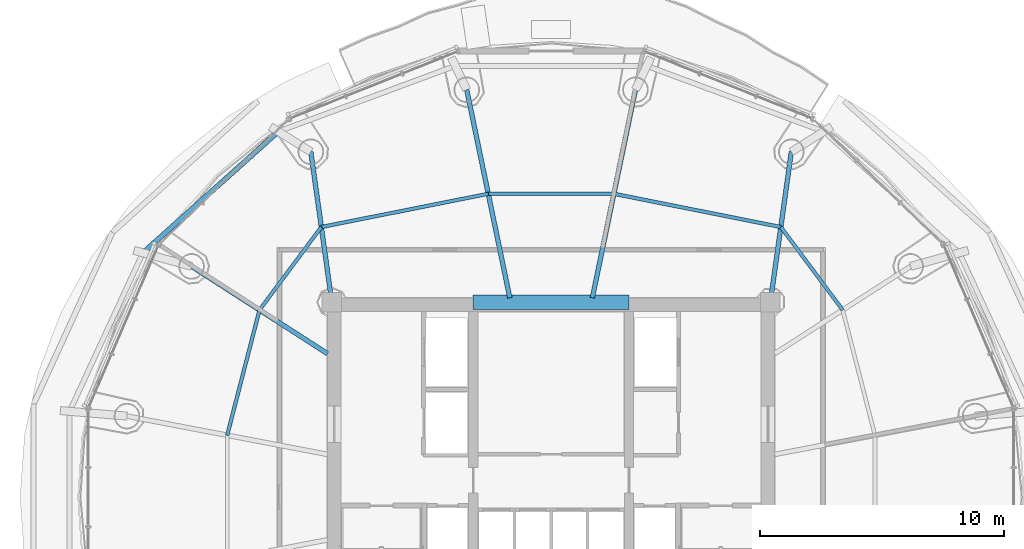
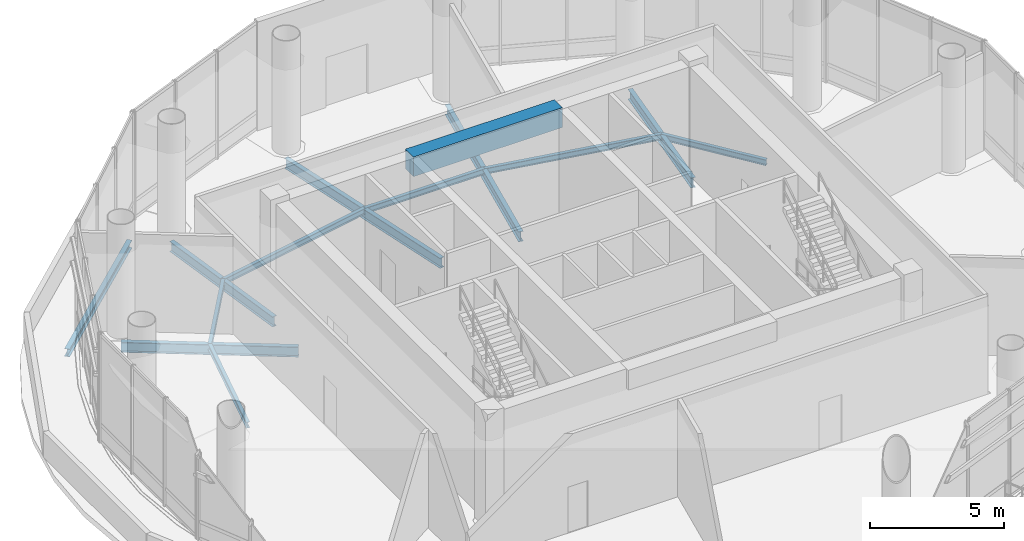
# One storey, part 7 of 22: 13 beams.
"""IFC4 building model written with IfcOpenShell, lengths in metres."""

from ifc_helpers import new_model, si_unit, direction, frame, origin, origin_2d, place, context, subcontext, project, spatial, rectangle, i_section, extrude, material, material_profile, profile_set, type_object, element, save


model = new_model("IFC4")

# Units and contexts
model_context = context("Model", 3, precision=1e-05, world=origin(), true_north=direction((-0.2419218956, 0.970295726276)))
body_context = subcontext(model_context, "Body", "Model", "MODEL_VIEW")
ifc_project = project(units=[si_unit("LENGTHUNIT", "METRE"), si_unit("AREAUNIT", "SQUARE_METRE"), si_unit("VOLUMEUNIT", "CUBIC_METRE"), si_unit("PLANEANGLEUNIT", "RADIAN"), si_unit("MASSUNIT", "GRAM", prefix="KILO")], contexts=[model_context])

# Site, building, storey
site_placement = place(None, origin())
site = spatial("IfcSite", under=ifc_project, at=site_placement, CompositionType="ELEMENT")
building_placement = place(site_placement, origin())
building = spatial("IfcBuilding", under=site, at=building_placement, Name="Cobrevalo Terracotta Tower", CompositionType="ELEMENT")
storey_placement = place(building_placement, frame((0.0, 0.0, 243.0)))
storey = spatial("IfcBuildingStorey", under=building, at=storey_placement, Name="L64", CompositionType="ELEMENT", Elevation=243.0)

# Beams
ifc_material_1 = material(Name="Concrete C60", Category="concrete")
ifc_material_profile_1 = material_profile(ifc_material_1, rectangle(XDim=0.60009765625, YDim=0.89990234375, at=origin_2d()), Name="RC CB 600x900")
ifc_profile_set_1 = profile_set([ifc_material_profile_1], Name="Concrete C60")
beam_type_1 = type_object("IfcBeamType", Name="Structural Beam RC CB 600x900 (Concrete C60)", PredefinedType="BEAM", material=ifc_profile_set_1)
beam_1_placement = place(storey_placement, frame((34.800048828125, 34.800048828125, 4.489990234375), z_axis=(1.0, 0.0, 0.0), x_axis=(0.0, 1.0, 0.0)))
element("IfcBeam", 1, at=beam_1_placement, inside=storey, type_object=beam_type_1, Name="L64 core coupling beam 2", PredefinedType="BEAM", context=body_context, shape_type="SweptSolid", body=[
    extrude(rectangle(XDim=0.60009765625, YDim=0.89990234375, at=origin_2d()), origin(), (0.0, 0.0, 1.0), 6.39990234375),
])
ifc_material_2 = material(Name="Steel S355", Category="steel")
ifc_material_profile_2 = material_profile(ifc_material_2, i_section(OverallWidth=0.19091796875, OverallDepth=0.4599609375, WebThickness=0.010009765625, FlangeThickness=0.01611328125, at=origin_2d()), Name="W 460x82")
ifc_profile_set_2 = profile_set([ifc_material_profile_2], Name="Steel S355")
beam_type_2 = type_object("IfcBeamType", Name="Structural Beam W 460x82 (Steel S355)", PredefinedType="BEAM", material=ifc_profile_set_2)
beam_2_placement = place(storey_placement, frame((47.861328125, 40.9765625, -0.679931640625), z_axis=(-0.138115657759, -0.990416107039, 0.0), x_axis=(0.990416107039, -0.138115657759, 0.0)))
element("IfcBeam", 2, at=beam_2_placement, inside=storey, type_object=beam_type_2, Name="L64 radial floor girder 03", PredefinedType="BEAM", context=body_context, shape_type="SweptSolid", body=[
    extrude(i_section(OverallWidth=0.19091796875, OverallDepth=0.4599609375, WebThickness=0.010009765625, FlangeThickness=0.01611328125, at=origin_2d()), origin(), (0.0, 0.0, 1.0), 6.236328125),
])
for number, where, z_axis, x_axis, name in (
    (3, (41.462890625, 43.5224609375, -0.679931640625), (-0.202785130995, -0.979223258837, 0.0), (0.979223258837, -0.202785130995, 0.0), "L64 radial floor girder 04"),
    (4, (34.537109375, 43.5224609375, -0.679931640625), (0.202785130995, -0.979223258837, 0.0), (0.979223258837, 0.202785130995, 0.0), "L64 radial floor girder 05"),
):
    element("IfcBeam", number, at=place(storey_placement, frame(where, z_axis=z_axis, x_axis=x_axis)), inside=storey, type_object=beam_type_2, Name=name, PredefinedType="BEAM", context=body_context, shape_type="SweptSolid", body=[
        extrude(i_section(OverallWidth=0.19091796875, OverallDepth=0.4599609375, WebThickness=0.010009765625, FlangeThickness=0.01611328125, at=origin_2d()), origin(), (0.0, 0.0, 1.0), 8.7236328125),
    ])
beam_3_placement = place(storey_placement, frame((28.138671875, 40.9765625, -0.679931640625), z_axis=(0.138115657759, -0.990416107039, 0.0), x_axis=(0.990416107039, 0.138115657759, 0.0)))
element("IfcBeam", 5, at=beam_3_placement, inside=storey, type_object=beam_type_2, Name="L64 radial floor girder 06", PredefinedType="BEAM", context=body_context, shape_type="SweptSolid", body=[
    extrude(i_section(OverallWidth=0.19091796875, OverallDepth=0.4599609375, WebThickness=0.010009765625, FlangeThickness=0.01611328125, at=origin_2d()), origin(), (0.0, 0.0, 1.0), 6.236328125),
])
beam_4_placement = place(storey_placement, frame((23.241455078125, 36.2724609375, -0.679931640625), z_axis=(0.841568363304, -0.540150617778, 0.0), x_axis=(0.540150617778, 0.841568363304, 0.0)))
element("IfcBeam", 6, at=beam_4_placement, inside=storey, type_object=beam_type_2, Name="L64 radial floor girder 07", PredefinedType="BEAM", context=body_context, shape_type="SweptSolid", body=[
    extrude(i_section(OverallWidth=0.19091796875, OverallDepth=0.4599609375, WebThickness=0.010009765625, FlangeThickness=0.01611328125, at=origin_2d()), origin(), (0.0, 0.0, 1.0), 6.62890625),
])
ifc_material_profile_3 = material_profile(ifc_material_2, i_section(OverallWidth=0.14794921875, OverallDepth=0.26611328125, WebThickness=0.007568359375, FlangeThickness=0.012939453125, at=origin_2d()), Name="W 250x44.8")
ifc_profile_set_3 = profile_set([ifc_material_profile_3], Name="Steel S355")
beam_type_3 = type_object("IfcBeamType", Name="Structural Joist W 250x44.8 (Steel S355)", PredefinedType="JOIST", material=ifc_profile_set_3)
beam_5_placement = place(storey_placement, frame((49.96923828125, 34.482177734375, -0.5830078125), z_axis=(-0.597597255521, 0.801796433139, 0.0), x_axis=(-0.801796433139, -0.597597255521, 0.0)))
element("IfcBeam", 7, at=beam_5_placement, inside=storey, type_object=beam_type_3, Name="L64 circumferential secondary floor joist 02", PredefinedType="JOIST", context=body_context, shape_type="SweptSolid", body=[
    extrude(i_section(OverallWidth=0.14794921875, OverallDepth=0.26611328125, WebThickness=0.007568359375, FlangeThickness=0.012939453125, at=origin_2d()), origin(), (0.0, 0.0, 1.0), 4.248046875),
])
beam_6_placement = place(storey_placement, frame((47.4306640625, 37.88818359375, -0.5830078125), z_axis=(-0.980784434008, 0.195094577086, 0.0), x_axis=(-0.195094577086, -0.980784434008, 0.0)))
element("IfcBeam", 8, at=beam_6_placement, inside=storey, type_object=beam_type_3, Name="L64 circumferential secondary floor joist 03", PredefinedType="JOIST", context=body_context, shape_type="SweptSolid", body=[
    extrude(i_section(OverallWidth=0.14794921875, OverallDepth=0.26611328125, WebThickness=0.007568359375, FlangeThickness=0.012939453125, at=origin_2d()), origin(), (0.0, 0.0, 1.0), 6.986572265625),
])
beam_7_placement = place(storey_placement, frame((40.578369140625, 39.251220703125, -0.5830078125), z_axis=(-1.0, 0.0, 0.0), x_axis=(0.0, -1.0, 0.0)))
element("IfcBeam", 9, at=beam_7_placement, inside=storey, type_object=beam_type_3, Name="L64 circumferential secondary floor joist 04", PredefinedType="JOIST", context=body_context, shape_type="SweptSolid", body=[
    extrude(i_section(OverallWidth=0.14794921875, OverallDepth=0.26611328125, WebThickness=0.007568359375, FlangeThickness=0.012939453125, at=origin_2d()), origin(), (0.0, 0.0, 1.0), 5.15673828125),
])
beam_8_placement = place(storey_placement, frame((35.421630859375, 39.251220703125, -0.5830078125), z_axis=(-0.980784434008, -0.195094577086, 0.0), x_axis=(0.195094577086, -0.980784434008, 0.0)))
element("IfcBeam", 10, at=beam_8_placement, inside=storey, type_object=beam_type_3, Name="L64 circumferential secondary floor joist 05", PredefinedType="JOIST", context=body_context, shape_type="SweptSolid", body=[
    extrude(i_section(OverallWidth=0.14794921875, OverallDepth=0.26611328125, WebThickness=0.007568359375, FlangeThickness=0.012939453125, at=origin_2d()), origin(), (0.0, 0.0, 1.0), 6.986572265625),
])
beam_9_placement = place(storey_placement, frame((28.5693359375, 37.88818359375, -0.5830078125), z_axis=(-0.597597255521, -0.801796433139, 0.0), x_axis=(0.801796433139, -0.597597255521, 0.0)))
element("IfcBeam", 11, at=beam_9_placement, inside=storey, type_object=beam_type_3, Name="L64 circumferential secondary floor joist 06", PredefinedType="JOIST", context=body_context, shape_type="SweptSolid", body=[
    extrude(i_section(OverallWidth=0.14794921875, OverallDepth=0.26611328125, WebThickness=0.007568359375, FlangeThickness=0.012939453125, at=origin_2d()), origin(), (0.0, 0.0, 1.0), 4.248046875),
])
beam_10_placement = place(storey_placement, frame((26.03076171875, 34.482177734375, -0.5830078125), z_axis=(-0.249560968956, -0.968359087722, 0.0), x_axis=(0.968359087722, -0.249560968956, 0.0)))
element("IfcBeam", 12, at=beam_10_placement, inside=storey, type_object=beam_type_3, Name="L64 circumferential secondary floor joist 07", PredefinedType="JOIST", context=body_context, shape_type="SweptSolid", body=[
    extrude(i_section(OverallWidth=0.14794921875, OverallDepth=0.26611328125, WebThickness=0.007568359375, FlangeThickness=0.012939453125, at=origin_2d()), origin(), (0.0, 0.0, 1.0), 5.31005859375),
])
ifc_material_profile_4 = material_profile(ifc_material_2, i_section(OverallWidth=0.205078125, OverallDepth=0.35400390625, WebThickness=0.009521484375, FlangeThickness=0.016845703125, at=origin_2d()), Name="W 360x79")
ifc_profile_set_4 = profile_set([ifc_material_profile_4], Name="Steel S355")
beam_type_4 = type_object("IfcBeamType", Name="Structural Spandrel W 360x79 (Steel S355)", PredefinedType="SPANDREL", material=ifc_profile_set_4)
beam_11_placement = place(storey_placement, frame((26.80517578125, 41.80810546875, -0.626953125), z_axis=(-0.744851930997, -0.667229796165, 0.0), x_axis=(0.667229796165, -0.744851930997, 0.0)))
element("IfcBeam", 13, at=beam_11_placement, inside=storey, type_object=beam_type_4, Name="L64 perimeter ring spandrel 06", PredefinedType="SPANDREL", context=body_context, shape_type="SweptSolid", body=[
    extrude(i_section(OverallWidth=0.205078125, OverallDepth=0.35400390625, WebThickness=0.009521484375, FlangeThickness=0.016845703125, at=origin_2d()), origin(), (0.0, 0.0, 1.0), 7.463623046875),
])

save(model, "model.ifc")
